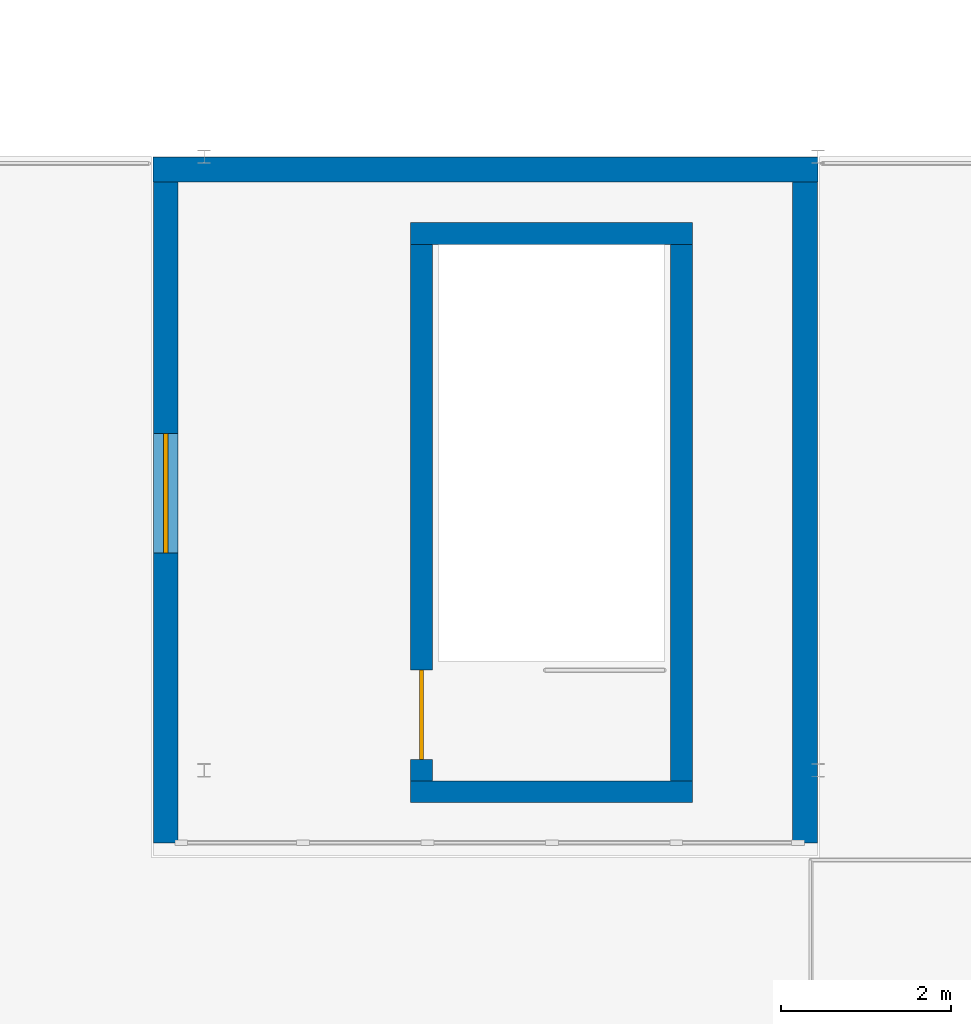
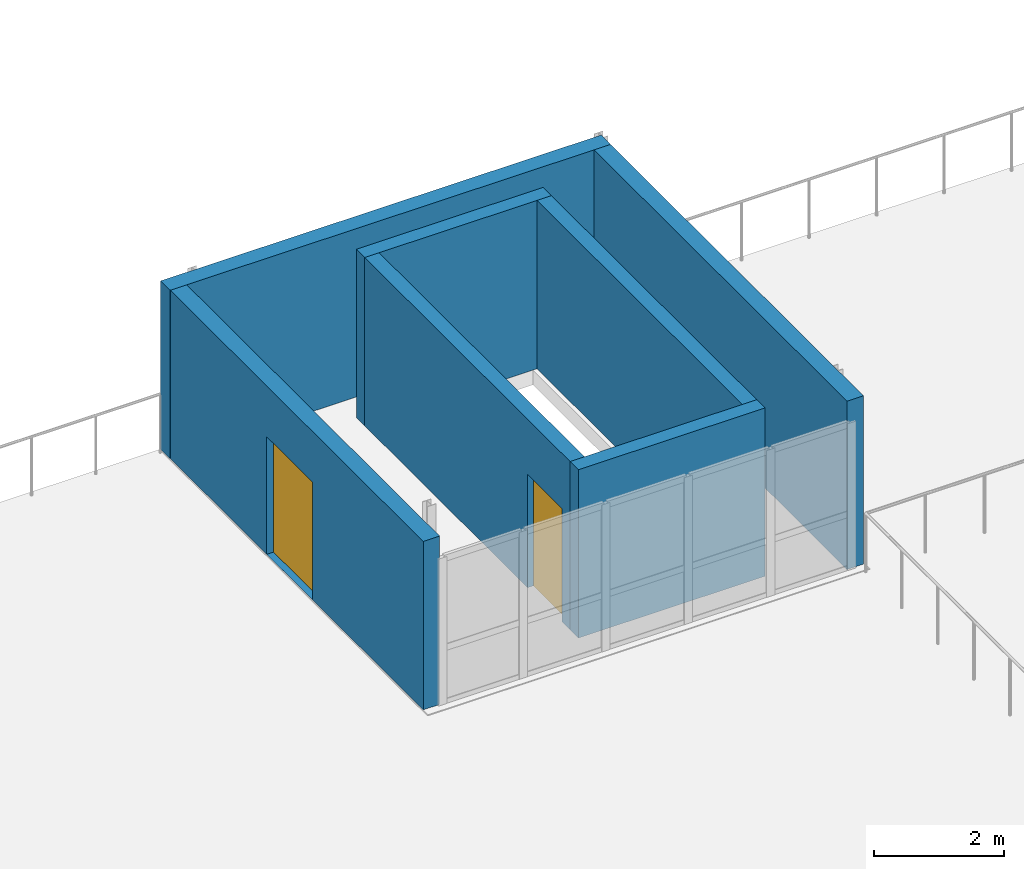
# One storey, part 35 of 64: 7 walls, 2 doors, 2 openings.
"""IFC4 building model written with IfcOpenShell, lengths in metres."""

from ifc_helpers import new_model, si_unit, direction, frame, frame_2d, origin, place, context, subcontext, project, spatial, rectangle, extrude, material, layer, layer_set, type_object, element, fill, save


model = new_model("IFC4")

# Units and contexts
model_context = context("Model", 3, precision=1e-05, world=origin(), true_north=direction((0.0, 1.0)))
body_context = subcontext(model_context, "Body", "Model", "MODEL_VIEW")
ifc_project = project(units=[si_unit("LENGTHUNIT", "METRE"), si_unit("AREAUNIT", "SQUARE_METRE"), si_unit("VOLUMEUNIT", "CUBIC_METRE"), si_unit("PLANEANGLEUNIT", "RADIAN"), si_unit("MASSUNIT", "GRAM", prefix="KILO")], contexts=[model_context])

# Site, building, storey
site_placement = place(None, origin())
site = spatial("IfcSite", under=ifc_project, at=site_placement, CompositionType="ELEMENT")
building_placement = place(site_placement, origin())
building = spatial("IfcBuilding", under=site, at=building_placement, Name="Ochrevale Crest", CompositionType="ELEMENT")
storey_placement = place(building_placement, frame((0.0, 0.0, 8.699951171875)))
storey = spatial("IfcBuildingStorey", under=building, at=storey_placement, Name="L02", CompositionType="ELEMENT", Elevation=8.699951171875)

# Walls
ifc_material_1 = material(Name="Precast concrete C50/60", Category="concrete")
ifc_layer_1 = layer(ifc_material_1, 0.2548828125)
ifc_layer_set_1 = layer_set([ifc_layer_1], Name="Precast concrete C50/60")
wall_type_1 = type_object("IfcWallType", Name="WL-CORE-255", PredefinedType="SHEAR", material=ifc_layer_set_1)
for number, where, z_axis, x_axis, name in (
    (1, (74.422607421875, 21.35009765625, 0.0), (0.0, 0.0, 1.0), (1.0, 0.0, 0.0), "Retail stair core wall L02-S"),
    (2, (74.422607421875, 27.89990234375, 0.0), (0.0, 0.0, 1.0), (1.0, 0.0, 0.0), "Retail stair core wall L02-N"),
):
    element("IfcWall", number, at=place(storey_placement, frame(where, z_axis=z_axis, x_axis=x_axis)), inside=storey, type_object=wall_type_1, Name=name, PredefinedType="SHEAR", context=body_context, shape_type="SweptSolid", body=[
        extrude(rectangle(XDim=3.304931640625, YDim=0.2548828125, at=frame_2d((1.65234375, 0.0))), origin(), (0.0, 0.0, 1.0), 3.150146484375),
    ])

# Wall, opening, door
wall_1_placement = place(storey_placement, frame((74.550048828125, 21.4775390625, 0.0), z_axis=(0.0, 0.0, 1.0), x_axis=(0.0, 1.0, 0.0)))
wall_1 = element("IfcWall", 3, at=wall_1_placement, inside=storey, type_object=wall_type_1, Name="Retail stair core wall L02-W", PredefinedType="SHEAR", context=body_context, shape_type="SweptSolid", body=[
    extrude(rectangle(XDim=6.294921875, YDim=0.2548828125, at=frame_2d((3.1474609375, 0.0))), origin(), (0.0, 0.0, 1.0), 3.150146484375),
])
opening_1_placement = place(wall_1_placement, frame((0.25, 0.0, 0.0)))
opening_1 = element("IfcOpeningElement", 4, at=opening_1_placement, cuts=wall_1, Name="Opening FD03", PredefinedType="OPENING", context=body_context, shape_type="SweptSolid", body=[
    extrude(rectangle(XDim=1.050048828125, YDim=2.1201171875, at=frame_2d((0.52490234375, 1.06005859375))), frame((0.0, 0.137451171875, 0.0), z_axis=(0.0, -1.0, 0.0), x_axis=(1.0, 0.0, 0.0)), (0.0, 0.0, 1.0), 0.27490234375),
])
ifc_material_2 = material(Name="Solid-core FSC hardwood", Category="wood")
door_type_1 = type_object("IfcDoorType", Name="DR-ST-1050", OperationType="NOTDEFINED", PredefinedType="DOOR", material=ifc_material_2)
door_1_placement = place(opening_1_placement, origin())
door_1 = element("IfcDoor", 5, at=door_1_placement, inside=storey, type_object=door_type_1, Name="Retail stair ST-R1 L02 door", OperationType="SINGLE_SWING_RIGHT", OverallHeight=2.1201171875, OverallWidth=1.050048828125, PredefinedType="DOOR", context=body_context, shape_type="SweptSolid", body=[
    extrude(rectangle(XDim=1.050048828125, YDim=2.1201171875, at=frame_2d((0.52490234375, 1.06005859375))), frame((0.0, 0.02490234375, 0.0), z_axis=(0.0, -1.0, 0.0), x_axis=(1.0, 0.0, 0.0)), (0.0, 0.0, 1.0), 0.050048828125),
])
fill(opening_1, door_1)

# Wall
wall_2_placement = place(storey_placement, frame((77.60009765625, 21.4775390625, 0.0), z_axis=(0.0, 0.0, 1.0), x_axis=(0.0, 1.0, 0.0)))
element("IfcWall", 6, at=wall_2_placement, inside=storey, type_object=wall_type_1, Name="Retail stair core wall L02-E", PredefinedType="SHEAR", context=body_context, shape_type="SweptSolid", body=[
    extrude(rectangle(XDim=6.294921875, YDim=0.2548828125, at=frame_2d((3.1474609375, 0.0))), origin(), (0.0, 0.0, 1.0), 3.150146484375),
])

# Wall, opening, door
ifc_material_3 = material(Name="Clay face brickwork", Category="masonry")
ifc_layer_2 = layer(ifc_material_3, 0.2900390625)
ifc_layer_set_2 = layer_set([ifc_layer_2], Name="Clay face brickwork")
wall_type_2 = type_object("IfcWallType", Name="WL-EXT-BRICK-290", PredefinedType="SOLIDWALL", material=ifc_layer_set_2)
wall_3_placement = place(storey_placement, frame((71.550048828125, 20.75, 0.0), z_axis=(0.0, 0.0, 1.0), x_axis=(0.0, 1.0, 0.0)))
wall_3 = element("IfcWall", 7, at=wall_3_placement, inside=storey, type_object=wall_type_2, Name="South roof-garden sunroom west wall", PredefinedType="SOLIDWALL", context=body_context, shape_type="SweptSolid", body=[
    extrude(rectangle(XDim=7.89990234375, YDim=0.2900390625, at=frame_2d((3.949951171875, 0.0))), origin(), (0.0, 0.0, 1.0), 3.150146484375),
])
opening_2_placement = place(wall_3_placement, frame((3.39990234375, 0.0, 0.0)))
opening_2 = element("IfcOpeningElement", 8, at=opening_2_placement, cuts=wall_3, Name="Opening TD03", PredefinedType="OPENING", context=body_context, shape_type="SweptSolid", body=[
    extrude(rectangle(XDim=1.39990234375, YDim=2.199951171875, at=frame_2d((0.699951171875, 1.10009765625))), frame((0.0, 0.155029296875, 0.0), z_axis=(0.0, -1.0, 0.0), x_axis=(1.0, 0.0, 0.0)), (0.0, 0.0, 1.0), 0.31005859375),
])
ifc_material_4 = material(Name="Anodised aluminium 6063-T5 and toughened glass", Category="aluminium")
door_type_2 = type_object("IfcDoorType", Name="DR-RG-1400", OperationType="NOTDEFINED", PredefinedType="DOOR", material=ifc_material_4)
door_2_placement = place(opening_2_placement, origin())
door_2 = element("IfcDoor", 9, at=door_2_placement, inside=storey, type_object=door_type_2, Name="South planted roof garden conservatory door", OperationType="SINGLE_SWING_LEFT", OverallHeight=2.199951171875, OverallWidth=1.39990234375, PredefinedType="DOOR", context=body_context, shape_type="SweptSolid", body=[
    extrude(rectangle(XDim=1.39990234375, YDim=2.199951171875, at=frame_2d((0.699951171875, 1.10009765625))), frame((0.0, 0.02490234375, 0.0), z_axis=(0.0, -1.0, 0.0), x_axis=(1.0, 0.0, 0.0)), (0.0, 0.0, 1.0), 0.050048828125),
])
fill(opening_2, door_2)

# Walls
wall_4_placement = place(storey_placement, frame((71.39990234375, 28.64990234375, 0.0), z_axis=(0.0, 0.0, 1.0), x_axis=(1.0, 0.0, 0.0)))
element("IfcWall", 10, at=wall_4_placement, inside=storey, type_object=wall_type_2, Name="South roof-garden sunroom N wall", PredefinedType="SOLIDWALL", context=body_context, shape_type="SweptSolid", body=[
    extrude(rectangle(XDim=7.800048828125, YDim=0.2900390625, at=frame_2d((3.89990234375, 0.0))), origin(), (0.0, 0.0, 1.0), 3.150146484375),
])
wall_5_placement = place(storey_placement, frame((79.050048828125, 20.75, 0.0), z_axis=(0.0, 0.0, 1.0), x_axis=(0.0, 1.0, 0.0)))
element("IfcWall", 11, at=wall_5_placement, inside=storey, type_object=wall_type_2, Name="South roof-garden sunroom E wall", PredefinedType="SOLIDWALL", context=body_context, shape_type="SweptSolid", body=[
    extrude(rectangle(XDim=7.89990234375, YDim=0.2900390625, at=frame_2d((3.949951171875, 0.0))), origin(), (0.0, 0.0, 1.0), 3.150146484375),
])

save(model, "model.ifc")
